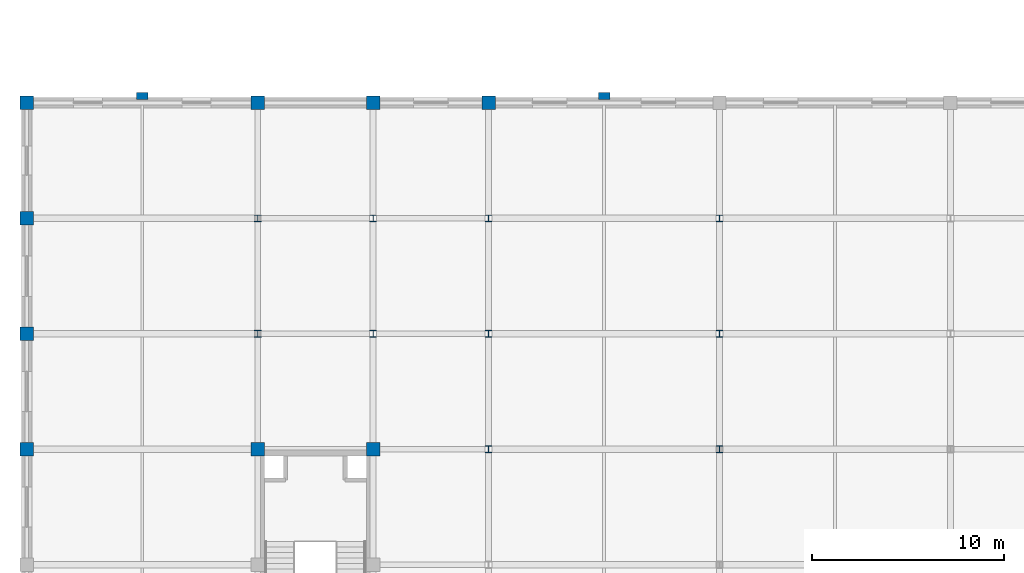
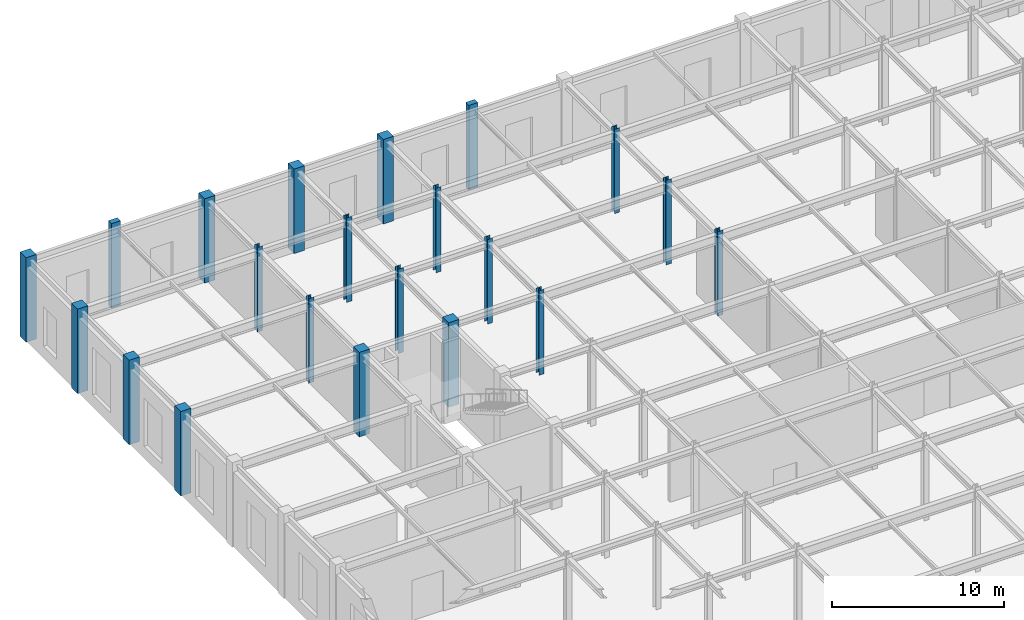
# One storey, part 15 of 51: 21 columns.
"""IFC4 building model written with IfcOpenShell, lengths in metres."""

import ifcopenshell
import ifcopenshell.guid

model = None  # the IFC model being written
_history = None  # IfcOwnerHistory: only IFC2X3 demands one
_inside = {}  # id of a spatial element -> (the spatial element, [elements in it])
_under = {}  # id of a project, library or spatial element -> (it, [spatial elements below it])
_declared = {}  # id of a project -> (the project, [libraries it declares])
_typed = {}  # id of a type object -> (the type object, [elements of that type])
_made_of = {}  # id of a material, layer set ... -> (it, [elements and type objects made of it])


def new_model(schema):
    """Start an empty IFC model of exactly this schema.

    Asked for "IFC4X3", IfcOpenShell would pick the latest addendum, in which some entities
    have other attributes; the version numbers below select the first issue.
    IFC2X3 requires an IfcOwnerHistory on every rooted entity: one is made here for all.
    """
    global model, _history
    if schema == "IFC4X3":
        model = ifcopenshell.file(schema_version=(4, 3, 0, 0))
    else:
        model = ifcopenshell.file(schema=schema)
    _inside.clear()
    _under.clear()
    _declared.clear()
    _typed.clear()
    _made_of.clear()
    _history = None
    if model.schema == "IFC2X3":
        org = make("IfcOrganization", Name="unknown")
        user = make(
            "IfcPersonAndOrganization",
            ThePerson=make("IfcPerson", FamilyName="unknown"),
            TheOrganization=org,
        )
        app = make(
            "IfcApplication",
            ApplicationDeveloper=org,
            Version="unknown",
            ApplicationFullName="unknown",
            ApplicationIdentifier="unknown",
        )
        _history = make(
            "IfcOwnerHistory",
            OwningUser=user,
            OwningApplication=app,
            ChangeAction="ADDED",
            CreationDate=0,
        )
    return model


def make(cls, **values):
    """One entity of the class cls with the attributes given. An attribute that is None is left unset."""
    return model.create_entity(
        cls, **{name: value for name, value in values.items() if value is not None}
    )


def rooted(cls, **values):
    """An entity with a GlobalId (a new one), such as an element, a storey or a relation."""
    return make(cls, GlobalId=ifcopenshell.guid.new(), OwnerHistory=_history, **values)


def si_unit(unit_type, name, prefix=None):
    """IfcSIUnit, for example si_unit("LENGTHUNIT", "METRE", prefix="MILLI")."""
    return make("IfcSIUnit", UnitType=unit_type, Prefix=prefix, Name=name)


def assignment(units):
    """IfcUnitAssignment: the units of a project."""
    return None if units is None else make("IfcUnitAssignment", Units=units)


def point(xyz):
    """IfcCartesianPoint."""
    return None if xyz is None else make("IfcCartesianPoint", Coordinates=xyz)


def direction(xyz):
    """IfcDirection."""
    return None if xyz is None else make("IfcDirection", DirectionRatios=xyz)


def frame(location, z_axis=None, x_axis=None):
    """IfcAxis2Placement3D, a coordinate frame: its origin and axes. An axis left out is left unset."""
    return make(
        "IfcAxis2Placement3D",
        Location=point(location),
        Axis=direction(z_axis),
        RefDirection=direction(x_axis),
    )


def frame_2d(location, x_axis=None):
    """IfcAxis2Placement2D, a coordinate frame in the plane: its origin and x axis."""
    return make(
        "IfcAxis2Placement2D", Location=point(location), RefDirection=direction(x_axis)
    )


def origin():
    """The frame at (0, 0, 0) with its axes left unset."""
    return frame((0.0, 0.0, 0.0))


def origin_2d():
    """The frame at (0, 0) in the plane with its x axis left unset."""
    return frame_2d((0.0, 0.0))


def place(relative_to, where):
    """IfcLocalPlacement: puts the frame where relative to a parent placement (None: the world)."""
    return make(
        "IfcLocalPlacement", PlacementRelTo=relative_to, RelativePlacement=where
    )


def context(
    kind, dimensions, precision=None, world=None, true_north=None, identifier=None
):
    """IfcGeometricRepresentationContext, for example the 3D "Model" context."""
    return make(
        "IfcGeometricRepresentationContext",
        ContextIdentifier=identifier,
        ContextType=kind,
        CoordinateSpaceDimension=dimensions,
        Precision=precision,
        WorldCoordinateSystem=world,
        TrueNorth=true_north,
    )


def subcontext(parent, identifier, kind, view, scale=None):
    """IfcGeometricRepresentationSubContext, for example "Body" below "Model"."""
    return make(
        "IfcGeometricRepresentationSubContext",
        ContextIdentifier=identifier,
        ContextType=kind,
        ParentContext=parent,
        TargetScale=scale,
        TargetView=view,
    )


def project(units=None, contexts=None):
    """IfcProject with its units and contexts."""
    return rooted(
        "IfcProject",
        Name="project",
        RepresentationContexts=contexts,
        UnitsInContext=assignment(units),
    )


def spatial(cls, under=None, at=None, **own):
    """A site, building, storey or space (cls), placed at a placement, below another one or the project."""
    s = rooted(cls, ObjectPlacement=at, **own)
    if under is not None:
        _under.setdefault(under.id(), (under, []))[1].append(s)
    return s


def profile(cls, at=None, kind="AREA", **sizes):
    """A parametric profile (cls). Its sizes go by their IFC names, for example OverallWidth=200.0."""
    return make(cls, ProfileType=kind, Position=at, **sizes)


def rectangle(**sizes):
    """IfcRectangleProfileDef."""
    return profile("IfcRectangleProfileDef", **sizes)


def i_section(**sizes):
    """IfcIShapeProfileDef."""
    return profile("IfcIShapeProfileDef", **sizes)


def extrude(swept, where, along, depth):
    """IfcExtrudedAreaSolid: the profile swept, set in the frame where, extruded along a direction by depth."""
    return make(
        "IfcExtrudedAreaSolid",
        SweptArea=swept,
        Position=where,
        ExtrudedDirection=direction(along),
        Depth=depth,
    )


def shape(context_of_items, identifier, shape_type, items):
    """IfcShapeRepresentation: the items that make up one representation, for example the "Body"."""
    return make(
        "IfcShapeRepresentation",
        ContextOfItems=context_of_items,
        RepresentationIdentifier=identifier,
        RepresentationType=shape_type,
        Items=items,
    )


def material(Name=None, Category=None):
    """IfcMaterial."""
    return make("IfcMaterial", Name=Name, Category=Category)


def material_profile(
    of_material, cross_section, Name=None, Category=None, Priority=None
):
    """IfcMaterialProfile: a cross section and its material."""
    return make(
        "IfcMaterialProfile",
        Name=Name,
        Material=of_material,
        Profile=cross_section,
        Priority=Priority,
        Category=Category,
    )


def profile_set(profiles, Name=None, composite=None):
    """IfcMaterialProfileSet."""
    return make(
        "IfcMaterialProfileSet",
        Name=Name,
        MaterialProfiles=profiles,
        CompositeProfile=composite,
    )


def made_of(thing, what):
    """Note that an element or type object is made of a material, layer set ...; save() writes the relation."""
    if what is not None:
        _made_of.setdefault(what.id(), (what, []))[1].append(thing)
    return thing


def type_object(cls, material=None, **own):
    """A type object (cls), such as IfcWallType, which elements share."""
    return made_of(rooted(cls, **own), material)


def element(
    cls,
    number,
    at=None,
    inside=None,
    cuts=None,
    type_object=None,
    material=None,
    context=None,
    identifier="Body",
    shape_type=None,
    held_by="IfcProductDefinitionShape",
    body=None,
    shapes=None,
    **own,
):
    """One element of the class cls, such as IfcWall. Its Tag is "e" and its number.

    at: its placement. inside: the storey or other place that contains it. cuts: it is an
    opening in that element (IfcRelVoidsElement). A single representation is given by context,
    identifier, shape_type and body (its items); several are given by shapes. held_by: the class
    of the entity that holds the representations. save() writes the other relations.
    """
    e = rooted(cls, Tag="e%d" % number, ObjectPlacement=at, **own)
    if body is not None:
        shapes = [shape(context, identifier, shape_type, body)]
    if shapes is not None:
        e.Representation = make(held_by, Representations=shapes)
    if inside is not None:
        _inside.setdefault(inside.id(), (inside, []))[1].append(e)
    if cuts is not None:
        rooted(
            "IfcRelVoidsElement", RelatingBuildingElement=cuts, RelatedOpeningElement=e
        )
    if type_object is not None:
        _typed.setdefault(type_object.id(), (type_object, []))[1].append(e)
    return made_of(e, material)


def aggregate(whole, parts):
    """IfcRelAggregates: a whole, such as a stair, and the parts it consists of."""
    return rooted("IfcRelAggregates", RelatingObject=whole, RelatedObjects=parts)


def save(model, path):
    """Write the relations noted so far, then the file.

    IfcRelAggregates (storeys below a building ...), IfcRelContainedInSpatialStructure (elements
    in a storey), IfcRelDefinesByType, IfcRelAssociatesMaterial and IfcRelDeclares: one each for
    every whole, place, type object, material and project.
    """
    for whole, parts in _under.values():
        aggregate(whole, parts)
    for where, things in _inside.values():
        rooted(
            "IfcRelContainedInSpatialStructure",
            RelatedElements=things,
            RelatingStructure=where,
        )
    for kind, things in _typed.values():
        rooted("IfcRelDefinesByType", RelatedObjects=things, RelatingType=kind)
    for what, things in _made_of.values():
        rooted("IfcRelAssociatesMaterial", RelatedObjects=things, RelatingMaterial=what)
    for by, libraries in _declared.values():
        rooted("IfcRelDeclares", RelatingContext=by, RelatedDefinitions=libraries)
    model.write(path)


model = new_model("IFC4")

# Units and contexts
model_context = context("Model", 3, precision=1e-05, world=origin(), true_north=direction((0.0, 1.0)))
body_context = subcontext(model_context, "Body", "Model", "MODEL_VIEW")
ifc_project = project(units=[si_unit("LENGTHUNIT", "METRE"), si_unit("AREAUNIT", "SQUARE_METRE"), si_unit("VOLUMEUNIT", "CUBIC_METRE"), si_unit("PLANEANGLEUNIT", "RADIAN"), si_unit("MASSUNIT", "GRAM", prefix="KILO")], contexts=[model_context])

# Site, building, storey
site_placement = place(None, origin())
site = spatial("IfcSite", under=ifc_project, at=site_placement, CompositionType="ELEMENT")
building_placement = place(site_placement, origin())
building = spatial("IfcBuilding", under=site, at=building_placement, Name="Zlatovratsky Civic Hall", CompositionType="ELEMENT")
storey_placement = place(building_placement, origin())
storey = spatial("IfcBuildingStorey", under=building, at=storey_placement, Name="L01", CompositionType="ELEMENT", Elevation=0.0)

# Columns
ifc_material_1 = material(Name="Concrete C35/45 (B40)", Category="concrete")
ifc_material_profile_1 = material_profile(ifc_material_1, rectangle(XDim=0.699951171875, YDim=0.699951171875, at=origin_2d()), Name="RC 700x700")
ifc_profile_set_1 = profile_set([ifc_material_profile_1], Name="Concrete C35/45 (B40)")
column_type_1 = type_object("IfcColumnType", Name="Col_CorePier_RC700", PredefinedType="COLUMN", material=ifc_profile_set_1)
for number, where, z_axis, x_axis, name in (
    (1, (0.0, 96.0, 0.0), (0.0, 0.0, 1.0), (1.0, 0.0, 0.0), "CL-0730"),
    (2, (12.0, 96.0, 0.0), (0.0, 0.0, 1.0), (1.0, 0.0, 0.0), "CL-0731"),
    (3, (18.0, 96.0, 0.0), (0.0, 0.0, 1.0), (1.0, 0.0, 0.0), "CL-0732"),
    (4, (0.0, 102.0, 0.0), (0.0, 0.0, 1.0), (1.0, 0.0, 0.0), "CL-0753"),
    (5, (0.0, 108.0, 0.0), (0.0, 0.0, 1.0), (1.0, 0.0, 0.0), "CL-0776"),
    (6, (0.0, 114.0, 0.0), (0.0, 0.0, 1.0), (1.0, 0.0, 0.0), "CL-0799"),
    (7, (12.0, 114.0, 0.0), (0.0, 0.0, 1.0), (1.0, 0.0, 0.0), "CL-0800"),
    (8, (18.0, 114.0, 0.0), (0.0, 0.0, 1.0), (1.0, 0.0, 0.0), "CL-0801"),
    (9, (24.0, 114.0, 0.0), (0.0, 0.0, 1.0), (1.0, 0.0, 0.0), "CL-0802"),
):
    element("IfcColumn", number, at=place(storey_placement, frame(where, z_axis=z_axis, x_axis=x_axis)), inside=storey, type_object=column_type_1, Name=name, PredefinedType="COLUMN", context=body_context, shape_type="SweptSolid", body=[
        extrude(rectangle(XDim=0.699951171875, YDim=0.699951171875, at=origin_2d()), origin(), (0.0, 0.0, 1.0), 6.0),
    ])
ifc_material_2 = material(Name="Steel S355", Category="steel")
ifc_material_profile_2 = material_profile(ifc_material_2, i_section(OverallWidth=0.35009765625, OverallDepth=0.343017578125, WebThickness=0.010009765625, FlangeThickness=0.014892578125, FilletRadius=0.02001953125, at=origin_2d()), Name="35K1")
ifc_profile_set_2 = profile_set([ifc_material_profile_2], Name="Steel S355")
column_type_2 = type_object("IfcColumnType", Name="Col_Steel_35K1", PredefinedType="COLUMN", material=ifc_profile_set_2)
for number, where, z_axis, x_axis, name in (
    (10, (24.0, 96.0, 0.0), (0.0, 0.0, 1.0), (1.0, 0.0, 0.0), "CL-0733"),
    (11, (36.0, 96.0, 0.0), (0.0, 0.0, 1.0), (1.0, 0.0, 0.0), "CL-0734"),
    (12, (12.0, 102.0, 0.0), (0.0, 0.0, 1.0), (1.0, 0.0, 0.0), "CL-0754"),
    (13, (18.0, 102.0, 0.0), (0.0, 0.0, 1.0), (1.0, 0.0, 0.0), "CL-0755"),
    (14, (24.0, 102.0, 0.0), (0.0, 0.0, 1.0), (1.0, 0.0, 0.0), "CL-0756"),
    (15, (36.0, 102.0, 0.0), (0.0, 0.0, 1.0), (1.0, 0.0, 0.0), "CL-0757"),
    (16, (12.0, 108.0, 0.0), (0.0, 0.0, 1.0), (1.0, 0.0, 0.0), "CL-0777"),
    (17, (18.0, 108.0, 0.0), (0.0, 0.0, 1.0), (1.0, 0.0, 0.0), "CL-0778"),
    (18, (24.0, 108.0, 0.0), (0.0, 0.0, 1.0), (1.0, 0.0, 0.0), "CL-0779"),
    (19, (36.0, 108.0, 0.0), (0.0, 0.0, 1.0), (1.0, 0.0, 0.0), "CL-0780"),
):
    element("IfcColumn", number, at=place(storey_placement, frame(where, z_axis=z_axis, x_axis=x_axis)), inside=storey, type_object=column_type_2, Name=name, PredefinedType="COLUMN", context=body_context, shape_type="SweptSolid", body=[
        extrude(i_section(OverallWidth=0.35009765625, OverallDepth=0.343017578125, WebThickness=0.010009765625, FlangeThickness=0.014892578125, FilletRadius=0.02001953125, at=origin_2d()), origin(), (0.0, 0.0, 1.0), 6.0),
    ])
ifc_material_profile_3 = material_profile(ifc_material_1, rectangle(XDim=0.60009765625, YDim=0.360107421875, at=origin_2d()), Name="RC 600x360")
ifc_profile_set_3 = profile_set([ifc_material_profile_3], Name="Concrete C35/45 (B40)")
column_type_3 = type_object("IfcColumnType", Name="Pilaster_Classical_RC600x360", PredefinedType="PILASTER", material=ifc_profile_set_3)
for number, where, z_axis, x_axis, name in (
    (20, (6.0, 114.35009765625, 0.0), (0.0, 0.0, 1.0), (1.0, 0.0, 0.0), "CL-2727"),
    (21, (30.0, 114.35009765625, 0.0), (0.0, 0.0, 1.0), (1.0, 0.0, 0.0), "CL-2728"),
):
    element("IfcColumn", number, at=place(storey_placement, frame(where, z_axis=z_axis, x_axis=x_axis)), inside=storey, type_object=column_type_3, Name=name, PredefinedType="PILASTER", context=body_context, shape_type="SweptSolid", body=[
        extrude(rectangle(XDim=0.60009765625, YDim=0.360107421875, at=origin_2d()), origin(), (0.0, 0.0, 1.0), 6.0),
    ])

save(model, "model.ifc")
